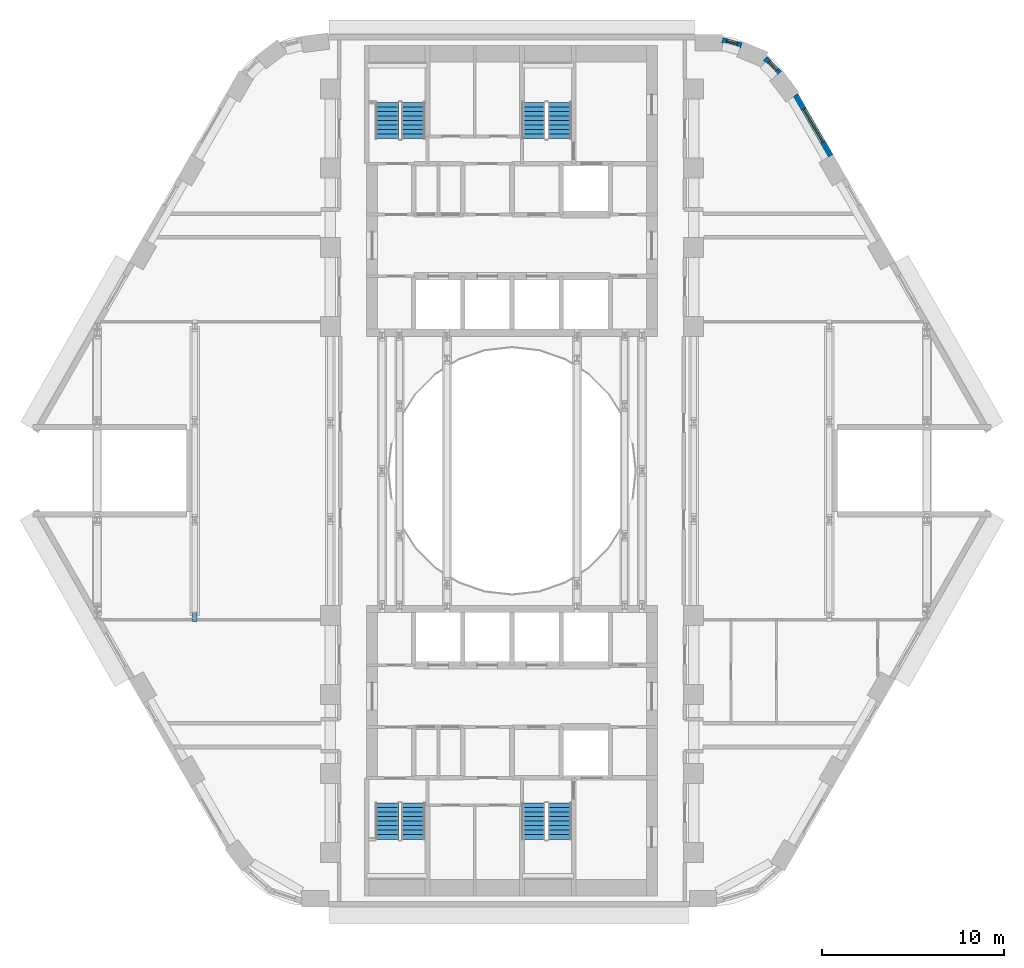
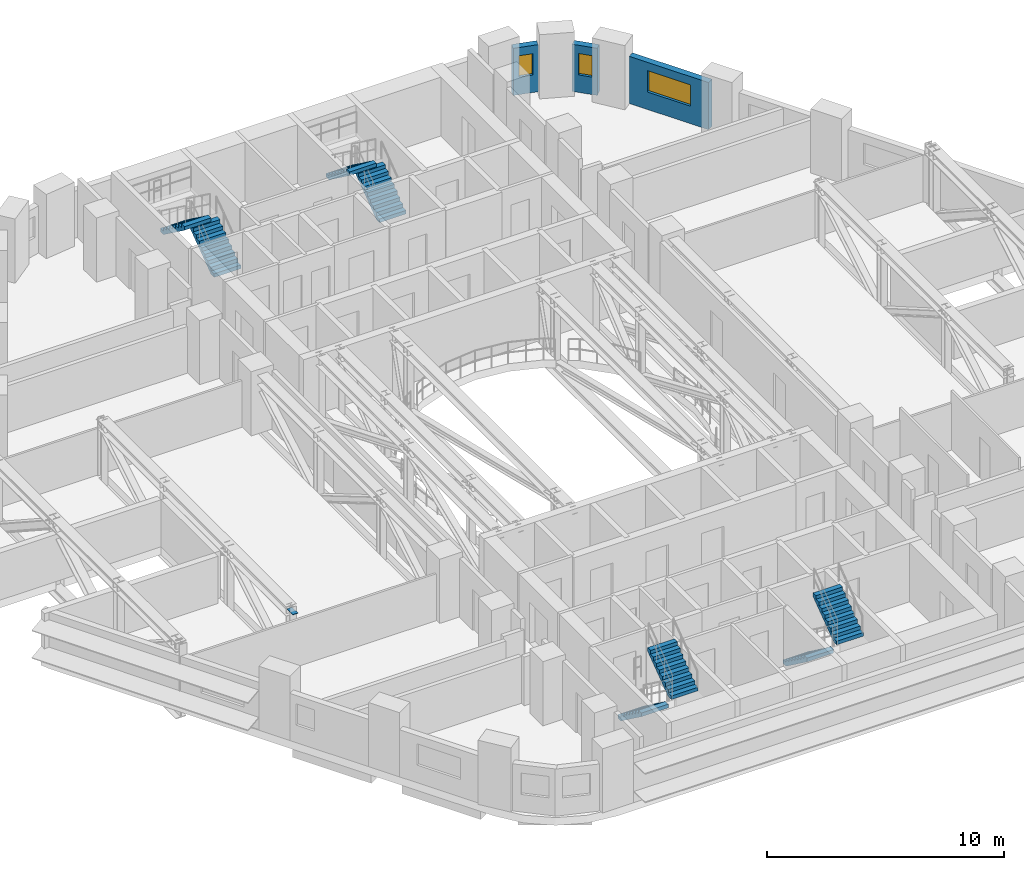
# One storey, part 11 of 18: 8 stair flights, 3 walls, 3 windows, 1 discrete accessory, 3 openings, 4 elements without a shape of their own.
"""IFC4 building model written with IfcOpenShell, lengths in metres."""

from ifc_helpers import new_model, si_unit, direction, frame, frame_2d, origin, origin_2d, place, context, subcontext, project, spatial, polyline, rectangle, outline, extrude, material, layer, layer_set, material_profile, profile_set, type_object, element, fill, aggregate, save


model = new_model("IFC4")

# Units and contexts
model_context = context("Model", 3, precision=1e-05, world=origin(), true_north=direction((0.0, 1.0)))
body_context = subcontext(model_context, "Body", "Model", "MODEL_VIEW")
ifc_project = project(units=[si_unit("LENGTHUNIT", "METRE"), si_unit("AREAUNIT", "SQUARE_METRE"), si_unit("VOLUMEUNIT", "CUBIC_METRE"), si_unit("PLANEANGLEUNIT", "RADIAN"), si_unit("MASSUNIT", "GRAM", prefix="KILO")], contexts=[model_context])

# Site, building, storey
site_placement = place(None, origin())
site = spatial("IfcSite", under=ifc_project, at=site_placement, CompositionType="ELEMENT")
building_placement = place(site_placement, origin())
building = spatial("IfcBuilding", under=site, at=building_placement, Name="Nakaniwa Court", CompositionType="ELEMENT")
storey_placement = place(building_placement, frame((0.0, 0.0, 38.10009765625)))
storey = spatial("IfcBuildingStorey", under=building, at=storey_placement, Name="L09", CompositionType="ELEMENT", Elevation=38.10009765625)

# Wall, opening, window
ifc_material_1 = material(Name="Charcoal ceramic cladding")
ifc_layer_1 = layer(ifc_material_1, 0.02, Name="Ceramic cladding")
ifc_material_2 = material(Name="Ventilated air cavity")
ifc_layer_2 = layer(ifc_material_2, 0.04, ventilated=True, Name="Ventilated cavity")
ifc_material_3 = material(Name="Mineral wool insulation")
ifc_layer_3 = layer(ifc_material_3, 0.1, Name="Insulation")
ifc_material_4 = material(Name="Cement bonded sheathing board")
ifc_layer_4 = layer(ifc_material_4, 0.012, Name="Sheathing")
ifc_material_5 = material(Name="Cold-formed galvanised stud frame with mineral wool infill")
ifc_layer_5 = layer(ifc_material_5, 0.1, Name="Stud frame")
ifc_material_6 = material(Name="Fire-rated gypsum plasterboard lining")
ifc_layer_6 = layer(ifc_material_6, 0.028, Name="Lining")
ifc_layer_set = layer_set([ifc_layer_1, ifc_layer_2, ifc_layer_3, ifc_layer_4, ifc_layer_5, ifc_layer_6], Name="Charcoal ceramic faced external wall system")
wall_type = type_object("IfcWallType", Name="Black ceramic faced external wall 300", PredefinedType="SOLIDWALL", material=ifc_layer_set)
wall_1_placement = place(storey_placement, frame((97.5322265625, 97.3330078125, 0.0), z_axis=(0.0, 0.0, 1.0), x_axis=(-0.499948341072, 0.866055227026, 0.0)))
wall_1 = element("IfcWall", 1, at=wall_1_placement, inside=storey, type_object=wall_type, Name="L09 external wall 01", PredefinedType="SOLIDWALL", context=body_context, shape_type="SweptSolid", body=[
    extrude(rectangle(XDim=3.8671875, YDim=0.300048828125, at=frame_2d((1.93359375, 0.0))), origin(), (0.0, 0.0, 1.0), 2.4248046875),
])
opening_1_placement = place(wall_1_placement, frame((0.872314453125, 0.0, 0.89990234375)))
opening_1 = element("IfcOpeningElement", 2, at=opening_1_placement, cuts=wall_1, Name="Opening W7.02", PredefinedType="OPENING", context=body_context, shape_type="SweptSolid", body=[
    extrude(rectangle(XDim=2.10009765625, YDim=1.10009765625, at=frame_2d((1.050048828125, 0.550048828125))), frame((0.0, 0.159912109375, 0.0), z_axis=(0.0, -1.0, 0.0), x_axis=(1.0, 0.0, 0.0)), (0.0, 0.0, 1.0), 0.320068359375),
])
ifc_material_7 = material(Name="Black anodised aluminium frame with dark low-E laminated double glazing", Category="aluminium")
window_type_1 = type_object("IfcWindowType", Name="Dark glass window 2100x1100 sill 900", PartitioningType="SINGLE_PANEL", PredefinedType="WINDOW", material=ifc_material_7)
window_1_placement = place(opening_1_placement, origin())
window_1 = element("IfcWindow", 3, at=window_1_placement, inside=storey, type_object=window_type_1, Name="L09 habitable room window 01-0", OverallHeight=1.10009765625, OverallWidth=2.10009765625, PartitioningType="SINGLE_PANEL", PredefinedType="WINDOW", context=body_context, shape_type="SweptSolid", body=[
    extrude(rectangle(XDim=2.10009765625, YDim=1.10009765625, at=frame_2d((1.050048828125, 0.550048828125))), frame((0.0, 0.030029296875, 0.0), z_axis=(0.0, -1.0, 0.0), x_axis=(1.0, 0.0, 0.0)), (0.0, 0.0, 1.0), 0.06005859375),
])
fill(opening_1, window_1)

wall_2_placement = place(storey_placement, frame((94.712646484375, 101.8828125, 0.0), z_axis=(0.0, 0.0, 1.0), x_axis=(-0.696138968055, 0.717907053285, 0.0)))
wall_2 = element("IfcWall", 4, at=wall_2_placement, inside=storey, type_object=wall_type, Name="L09 external wall 02", PredefinedType="SOLIDWALL", context=body_context, shape_type="SweptSolid", body=[
    extrude(rectangle(XDim=1.1103515625, YDim=0.300048828125, at=frame_2d((0.55517578125, 0.0))), origin(), (0.0, 0.0, 1.0), 2.4248046875),
])
opening_2_placement = place(wall_2_placement, frame((0.230712890625, 0.0, 0.89990234375)))
opening_2 = element("IfcOpeningElement", 5, at=opening_2_placement, cuts=wall_2, Name="Opening W8.03", PredefinedType="OPENING", context=body_context, shape_type="SweptSolid", body=[
    extrude(rectangle(XDim=0.60009765625, YDim=1.10009765625, at=frame_2d((0.300048828125, 0.550048828125))), frame((0.0, 0.159912109375, 0.0), z_axis=(0.0, -1.0, 0.0), x_axis=(1.0, 0.0, 0.0)), (0.0, 0.0, 1.0), 0.320068359375),
])
window_type_2 = type_object("IfcWindowType", Name="Dark glass window 600x1100 sill 900", PartitioningType="SINGLE_PANEL", PredefinedType="WINDOW", material=ifc_material_7)
window_2_placement = place(opening_2_placement, origin())
window_2 = element("IfcWindow", 6, at=window_2_placement, inside=storey, type_object=window_type_2, Name="L09 habitable room window 02-0", OverallHeight=1.10009765625, OverallWidth=0.60009765625, PartitioningType="SINGLE_PANEL", PredefinedType="WINDOW", context=body_context, shape_type="SweptSolid", body=[
    extrude(rectangle(XDim=0.60009765625, YDim=1.10009765625, at=frame_2d((0.300048828125, 0.550048828125))), frame((0.0, 0.030029296875, 0.0), z_axis=(0.0, -1.0, 0.0), x_axis=(1.0, 0.0, 0.0)), (0.0, 0.0, 1.0), 0.06005859375),
])
fill(opening_2, window_2)

wall_3_placement = place(storey_placement, frame((92.62548828125, 103.406982421875, 0.0), z_axis=(0.0, 0.0, 1.0), x_axis=(-0.96522637192, 0.261415475728, 0.0)))
wall_3 = element("IfcWall", 7, at=wall_3_placement, inside=storey, type_object=wall_type, Name="L09 external wall 03", PredefinedType="SOLIDWALL", context=body_context, shape_type="SweptSolid", body=[
    extrude(rectangle(XDim=1.0927734375, YDim=0.300048828125, at=frame_2d((0.54638671875, 0.0))), origin(), (0.0, 0.0, 1.0), 2.4248046875),
])
opening_3_placement = place(wall_3_placement, frame((0.236083984375, 0.0, 0.89990234375)))
opening_3 = element("IfcOpeningElement", 8, at=opening_3_placement, cuts=wall_3, Name="Opening W8.04", PredefinedType="OPENING", context=body_context, shape_type="SweptSolid", body=[
    extrude(rectangle(XDim=0.60009765625, YDim=1.10009765625, at=frame_2d((0.300048828125, 0.550048828125))), frame((0.0, 0.159912109375, 0.0), z_axis=(0.0, -1.0, 0.0), x_axis=(1.0, 0.0, 0.0)), (0.0, 0.0, 1.0), 0.320068359375),
])
window_3_placement = place(opening_3_placement, origin())
window_3 = element("IfcWindow", 9, at=window_3_placement, inside=storey, type_object=window_type_2, Name="L09 habitable room window 03-0", OverallHeight=1.10009765625, OverallWidth=0.60009765625, PartitioningType="SINGLE_PANEL", PredefinedType="WINDOW", context=body_context, shape_type="SweptSolid", body=[
    extrude(rectangle(XDim=0.60009765625, YDim=1.10009765625, at=frame_2d((0.300048828125, 0.550048828125))), frame((0.0, 0.030029296875, 0.0), z_axis=(0.0, -1.0, 0.0), x_axis=(1.0, 0.0, 0.0)), (0.0, 0.0, 1.0), 0.06005859375),
])
fill(opening_3, window_3)

# Stair, stair flights
ifc_material_8 = material(Name="Concrete C80/100", Category="concrete")
stair_type = type_object("IfcStairType", Name="Dog leg stair 1300 wide 18 risers", PredefinedType="HALF_TURN_STAIR", material=ifc_material_8)
stair_1_placement = place(storey_placement, origin())
stair_1 = element("IfcStair", 10, at=stair_1_placement, inside=storey, type_object=stair_type, Name="L09 Stair ST1", PredefinedType="HALF_TURN_STAIR")
stair_flight_type = type_object("IfcStairFlightType", Name="Stair flight 1300 wide 9 risers", PredefinedType="STRAIGHT", material=ifc_material_8)
stair_flight_1_placement = place(storey_placement, frame((74.574951171875, 98.27490234375, 0.0), z_axis=(0.0, 0.0, 1.0), x_axis=(0.0, 1.0, 0.0)))
stair_flight_1 = element("IfcStairFlight", 11, at=stair_flight_1_placement, type_object=stair_flight_type, Name="ST1 flight 1", NumberOfRisers=9, NumberOfTreads=8, PredefinedType="STRAIGHT", RiserHeight=0.183333333, TreadLength=0.25, context=body_context, shape_type="SweptSolid", body=[
    extrude(outline(polyline([(0.0, 0.0), (0.0, 0.026123046875), (0.0, 0.052490234375), (0.0, 0.07861328125), (0.0, 0.104736328125), (0.0, 0.130859375), (0.0, 0.1572265625), (0.0, 0.183349609375), (0.25, 0.183349609375), (0.25, 0.36669921875), (0.5, 0.36669921875), (0.5, 0.550048828125), (0.75, 0.550048828125), (0.75, 0.7333984375), (1.0, 0.7333984375), (1.0, 0.916748046875), (1.25, 0.916748046875), (1.25, 1.10009765625), (1.5, 1.10009765625), (1.5, 1.283447265625), (1.75, 1.283447265625), (1.75, 1.466552734375), (2.0, 1.466552734375), (2.0, 1.64990234375), (2.0, 1.59716796875), (2.0, 1.54443359375), (2.0, 1.49169921875), (2.0, 1.43896484375), (2.0, 1.38623046875), (2.0, 1.33349609375), (2.0, 1.28076171875), (0.25341796875, 0.0), (0.0, 0.0)])), frame((0.0, 0.64990234375, 0.0), z_axis=(0.0, -1.0, 0.0), x_axis=(1.0, 0.0, 0.0)), (0.0, 0.0, 1.0), 1.300048828125),
])
stair_flight_2_placement = place(storey_placement, frame((73.125, 100.27490234375, 1.64990234375), z_axis=(0.0, 0.0, 1.0), x_axis=(0.0, -1.0, 0.0)))
stair_flight_2 = element("IfcStairFlight", 12, at=stair_flight_2_placement, type_object=stair_flight_type, Name="ST1 flight 2", NumberOfRisers=9, NumberOfTreads=8, PredefinedType="STRAIGHT", RiserHeight=0.183333333, TreadLength=0.25, context=body_context, shape_type="SweptSolid", body=[
    extrude(outline(polyline([(0.0, 0.0), (0.0, 0.026123046875), (0.0, 0.052490234375), (0.0, 0.07861328125), (0.0, 0.104736328125), (0.0, 0.130859375), (0.0, 0.1572265625), (0.0, 0.183349609375), (0.25, 0.183349609375), (0.25, 0.36669921875), (0.5, 0.36669921875), (0.5, 0.550048828125), (0.75, 0.550048828125), (0.75, 0.7333984375), (1.0, 0.7333984375), (1.0, 0.916748046875), (1.25, 0.916748046875), (1.25, 1.10009765625), (1.5, 1.10009765625), (1.5, 1.283447265625), (1.75, 1.283447265625), (1.75, 1.466552734375), (2.0, 1.466552734375), (2.0, 1.64990234375), (2.0, 1.59716796875), (2.0, 1.54443359375), (2.0, 1.49169921875), (2.0, 1.43896484375), (2.0, 1.38623046875), (2.0, 1.33349609375), (2.0, 1.28076171875), (0.25341796875, 0.0), (0.0, 0.0)])), frame((0.0, 0.64990234375, 0.0), z_axis=(0.0, -1.0, 0.0), x_axis=(1.0, 0.0, 0.0)), (0.0, 0.0, 1.0), 1.300048828125),
])
aggregate(stair_1, [stair_flight_1, stair_flight_2])

stair_2_placement = place(storey_placement, origin())
stair_2 = element("IfcStair", 13, at=stair_2_placement, inside=storey, type_object=stair_type, Name="L09 Stair ST2", PredefinedType="HALF_TURN_STAIR")
stair_flight_3_placement = place(storey_placement, frame((82.625, 98.27490234375, 0.0), z_axis=(0.0, 0.0, 1.0), x_axis=(0.0, 1.0, 0.0)))
stair_flight_3 = element("IfcStairFlight", 14, at=stair_flight_3_placement, type_object=stair_flight_type, Name="ST2 flight 1", NumberOfRisers=9, NumberOfTreads=8, PredefinedType="STRAIGHT", RiserHeight=0.183333333, TreadLength=0.25, context=body_context, shape_type="SweptSolid", body=[
    extrude(outline(polyline([(0.0, 0.0), (0.0, 0.026123046875), (0.0, 0.052490234375), (0.0, 0.07861328125), (0.0, 0.104736328125), (0.0, 0.130859375), (0.0, 0.1572265625), (0.0, 0.183349609375), (0.25, 0.183349609375), (0.25, 0.36669921875), (0.5, 0.36669921875), (0.5, 0.550048828125), (0.75, 0.550048828125), (0.75, 0.7333984375), (1.0, 0.7333984375), (1.0, 0.916748046875), (1.25, 0.916748046875), (1.25, 1.10009765625), (1.5, 1.10009765625), (1.5, 1.283447265625), (1.75, 1.283447265625), (1.75, 1.466552734375), (2.0, 1.466552734375), (2.0, 1.64990234375), (2.0, 1.59716796875), (2.0, 1.54443359375), (2.0, 1.49169921875), (2.0, 1.43896484375), (2.0, 1.38623046875), (2.0, 1.33349609375), (2.0, 1.28076171875), (0.25341796875, 0.0), (0.0, 0.0)])), frame((0.0, 0.64990234375, 0.0), z_axis=(0.0, -1.0, 0.0), x_axis=(1.0, 0.0, 0.0)), (0.0, 0.0, 1.0), 1.300048828125),
])
stair_flight_4_placement = place(storey_placement, frame((81.175048828125, 100.27490234375, 1.64990234375), z_axis=(0.0, 0.0, 1.0), x_axis=(0.0, -1.0, 0.0)))
stair_flight_4 = element("IfcStairFlight", 15, at=stair_flight_4_placement, type_object=stair_flight_type, Name="ST2 flight 2", NumberOfRisers=9, NumberOfTreads=8, PredefinedType="STRAIGHT", RiserHeight=0.183333333, TreadLength=0.25, context=body_context, shape_type="SweptSolid", body=[
    extrude(outline(polyline([(0.0, 0.0), (0.0, 0.026123046875), (0.0, 0.052490234375), (0.0, 0.07861328125), (0.0, 0.104736328125), (0.0, 0.130859375), (0.0, 0.1572265625), (0.0, 0.183349609375), (0.25, 0.183349609375), (0.25, 0.36669921875), (0.5, 0.36669921875), (0.5, 0.550048828125), (0.75, 0.550048828125), (0.75, 0.7333984375), (1.0, 0.7333984375), (1.0, 0.916748046875), (1.25, 0.916748046875), (1.25, 1.10009765625), (1.5, 1.10009765625), (1.5, 1.283447265625), (1.75, 1.283447265625), (1.75, 1.466552734375), (2.0, 1.466552734375), (2.0, 1.64990234375), (2.0, 1.59716796875), (2.0, 1.54443359375), (2.0, 1.49169921875), (2.0, 1.43896484375), (2.0, 1.38623046875), (2.0, 1.33349609375), (2.0, 1.28076171875), (0.25341796875, 0.0), (0.0, 0.0)])), frame((0.0, 0.64990234375, 0.0), z_axis=(0.0, -1.0, 0.0), x_axis=(1.0, 0.0, 0.0)), (0.0, 0.0, 1.0), 1.300048828125),
])
aggregate(stair_2, [stair_flight_3, stair_flight_4])

stair_3_placement = place(storey_placement, origin())
stair_3 = element("IfcStair", 16, at=stair_3_placement, inside=storey, type_object=stair_type, Name="L09 Stair ST3", PredefinedType="HALF_TURN_STAIR")
stair_flight_5_placement = place(storey_placement, frame((73.125, 61.72509765625, 0.0), z_axis=(0.0, 0.0, 1.0), x_axis=(0.0, -1.0, 0.0)))
stair_flight_5 = element("IfcStairFlight", 17, at=stair_flight_5_placement, type_object=stair_flight_type, Name="ST3 flight 1", NumberOfRisers=9, NumberOfTreads=8, PredefinedType="STRAIGHT", RiserHeight=0.183333333, TreadLength=0.25, context=body_context, shape_type="SweptSolid", body=[
    extrude(outline(polyline([(0.0, 0.0), (0.0, 0.026123046875), (0.0, 0.052490234375), (0.0, 0.07861328125), (0.0, 0.104736328125), (0.0, 0.130859375), (0.0, 0.1572265625), (0.0, 0.183349609375), (0.25, 0.183349609375), (0.25, 0.36669921875), (0.5, 0.36669921875), (0.5, 0.550048828125), (0.75, 0.550048828125), (0.75, 0.7333984375), (1.0, 0.7333984375), (1.0, 0.916748046875), (1.25, 0.916748046875), (1.25, 1.10009765625), (1.5, 1.10009765625), (1.5, 1.283447265625), (1.75, 1.283447265625), (1.75, 1.466552734375), (2.0, 1.466552734375), (2.0, 1.64990234375), (2.0, 1.59716796875), (2.0, 1.54443359375), (2.0, 1.49169921875), (2.0, 1.43896484375), (2.0, 1.38623046875), (2.0, 1.33349609375), (2.0, 1.28076171875), (0.25341796875, 0.0), (0.0, 0.0)])), frame((0.0, 0.64990234375, 0.0), z_axis=(0.0, -1.0, 0.0), x_axis=(1.0, 0.0, 0.0)), (0.0, 0.0, 1.0), 1.300048828125),
])
stair_flight_6_placement = place(storey_placement, frame((74.574951171875, 59.72509765625, 1.64990234375), z_axis=(0.0, 0.0, 1.0), x_axis=(0.0, 1.0, 0.0)))
stair_flight_6 = element("IfcStairFlight", 18, at=stair_flight_6_placement, type_object=stair_flight_type, Name="ST3 flight 2", NumberOfRisers=9, NumberOfTreads=8, PredefinedType="STRAIGHT", RiserHeight=0.183333333, TreadLength=0.25, context=body_context, shape_type="SweptSolid", body=[
    extrude(outline(polyline([(0.0, 0.0), (0.0, 0.026123046875), (0.0, 0.052490234375), (0.0, 0.07861328125), (0.0, 0.104736328125), (0.0, 0.130859375), (0.0, 0.1572265625), (0.0, 0.183349609375), (0.25, 0.183349609375), (0.25, 0.36669921875), (0.5, 0.36669921875), (0.5, 0.550048828125), (0.75, 0.550048828125), (0.75, 0.7333984375), (1.0, 0.7333984375), (1.0, 0.916748046875), (1.25, 0.916748046875), (1.25, 1.10009765625), (1.5, 1.10009765625), (1.5, 1.283447265625), (1.75, 1.283447265625), (1.75, 1.466552734375), (2.0, 1.466552734375), (2.0, 1.64990234375), (2.0, 1.59716796875), (2.0, 1.54443359375), (2.0, 1.49169921875), (2.0, 1.43896484375), (2.0, 1.38623046875), (2.0, 1.33349609375), (2.0, 1.28076171875), (0.25341796875, 0.0), (0.0, 0.0)])), frame((0.0, 0.64990234375, 0.0), z_axis=(0.0, -1.0, 0.0), x_axis=(1.0, 0.0, 0.0)), (0.0, 0.0, 1.0), 1.300048828125),
])
aggregate(stair_3, [stair_flight_5, stair_flight_6])

stair_4_placement = place(storey_placement, origin())
stair_4 = element("IfcStair", 19, at=stair_4_placement, inside=storey, type_object=stair_type, Name="L09 Stair ST4", PredefinedType="HALF_TURN_STAIR")
stair_flight_7_placement = place(storey_placement, frame((81.175048828125, 61.72509765625, 0.0), z_axis=(0.0, 0.0, 1.0), x_axis=(0.0, -1.0, 0.0)))
stair_flight_7 = element("IfcStairFlight", 20, at=stair_flight_7_placement, type_object=stair_flight_type, Name="ST4 flight 1", NumberOfRisers=9, NumberOfTreads=8, PredefinedType="STRAIGHT", RiserHeight=0.183333333, TreadLength=0.25, context=body_context, shape_type="SweptSolid", body=[
    extrude(outline(polyline([(0.0, 0.0), (0.0, 0.026123046875), (0.0, 0.052490234375), (0.0, 0.07861328125), (0.0, 0.104736328125), (0.0, 0.130859375), (0.0, 0.1572265625), (0.0, 0.183349609375), (0.25, 0.183349609375), (0.25, 0.36669921875), (0.5, 0.36669921875), (0.5, 0.550048828125), (0.75, 0.550048828125), (0.75, 0.7333984375), (1.0, 0.7333984375), (1.0, 0.916748046875), (1.25, 0.916748046875), (1.25, 1.10009765625), (1.5, 1.10009765625), (1.5, 1.283447265625), (1.75, 1.283447265625), (1.75, 1.466552734375), (2.0, 1.466552734375), (2.0, 1.64990234375), (2.0, 1.59716796875), (2.0, 1.54443359375), (2.0, 1.49169921875), (2.0, 1.43896484375), (2.0, 1.38623046875), (2.0, 1.33349609375), (2.0, 1.28076171875), (0.25341796875, 0.0), (0.0, 0.0)])), frame((0.0, 0.64990234375, 0.0), z_axis=(0.0, -1.0, 0.0), x_axis=(1.0, 0.0, 0.0)), (0.0, 0.0, 1.0), 1.300048828125),
])
stair_flight_8_placement = place(storey_placement, frame((82.625, 59.72509765625, 1.64990234375), z_axis=(0.0, 0.0, 1.0), x_axis=(0.0, 1.0, 0.0)))
stair_flight_8 = element("IfcStairFlight", 21, at=stair_flight_8_placement, type_object=stair_flight_type, Name="ST4 flight 2", NumberOfRisers=9, NumberOfTreads=8, PredefinedType="STRAIGHT", RiserHeight=0.183333333, TreadLength=0.25, context=body_context, shape_type="SweptSolid", body=[
    extrude(outline(polyline([(0.0, 0.0), (0.0, 0.026123046875), (0.0, 0.052490234375), (0.0, 0.07861328125), (0.0, 0.104736328125), (0.0, 0.130859375), (0.0, 0.1572265625), (0.0, 0.183349609375), (0.25, 0.183349609375), (0.25, 0.36669921875), (0.5, 0.36669921875), (0.5, 0.550048828125), (0.75, 0.550048828125), (0.75, 0.7333984375), (1.0, 0.7333984375), (1.0, 0.916748046875), (1.25, 0.916748046875), (1.25, 1.10009765625), (1.5, 1.10009765625), (1.5, 1.283447265625), (1.75, 1.283447265625), (1.75, 1.466552734375), (2.0, 1.466552734375), (2.0, 1.64990234375), (2.0, 1.59716796875), (2.0, 1.54443359375), (2.0, 1.49169921875), (2.0, 1.43896484375), (2.0, 1.38623046875), (2.0, 1.33349609375), (2.0, 1.28076171875), (0.25341796875, 0.0), (0.0, 0.0)])), frame((0.0, 0.64990234375, 0.0), z_axis=(0.0, -1.0, 0.0), x_axis=(1.0, 0.0, 0.0)), (0.0, 0.0, 1.0), 1.300048828125),
])
aggregate(stair_4, [stair_flight_7, stair_flight_8])

# Discrete accessory
ifc_material_9 = material(Name="Steel Grade 350", Category="steel")
ifc_material_profile = material_profile(ifc_material_9, rectangle(XDim=0.25, YDim=0.02001953125, at=origin_2d()), Name="Truss end gusset plate 250x20")
ifc_profile_set = profile_set([ifc_material_profile], Name="Steel Grade 350")
discrete_accessory_type = type_object("IfcDiscreteAccessoryType", Name="Truss end gusset plate 250x20", PredefinedType="BRACKET", material=ifc_profile_set)
discrete_accessory_placement = place(storey_placement, frame((62.5419921875, 72.199951171875, 2.77978515625), z_axis=(0.0, -1.0, 0.0), x_axis=(1.0, 0.0, 0.0)))
element("IfcDiscreteAccessory", 22, at=discrete_accessory_placement, inside=storey, type_object=discrete_accessory_type, Name="Gusset plate GU-006", PredefinedType="BRACKET", context=body_context, shape_type="SweptSolid", body=[
    extrude(rectangle(XDim=0.25, YDim=0.02001953125, at=origin_2d()), origin(), (0.0, 0.0, 1.0), 0.5),
])

save(model, "model.ifc")
